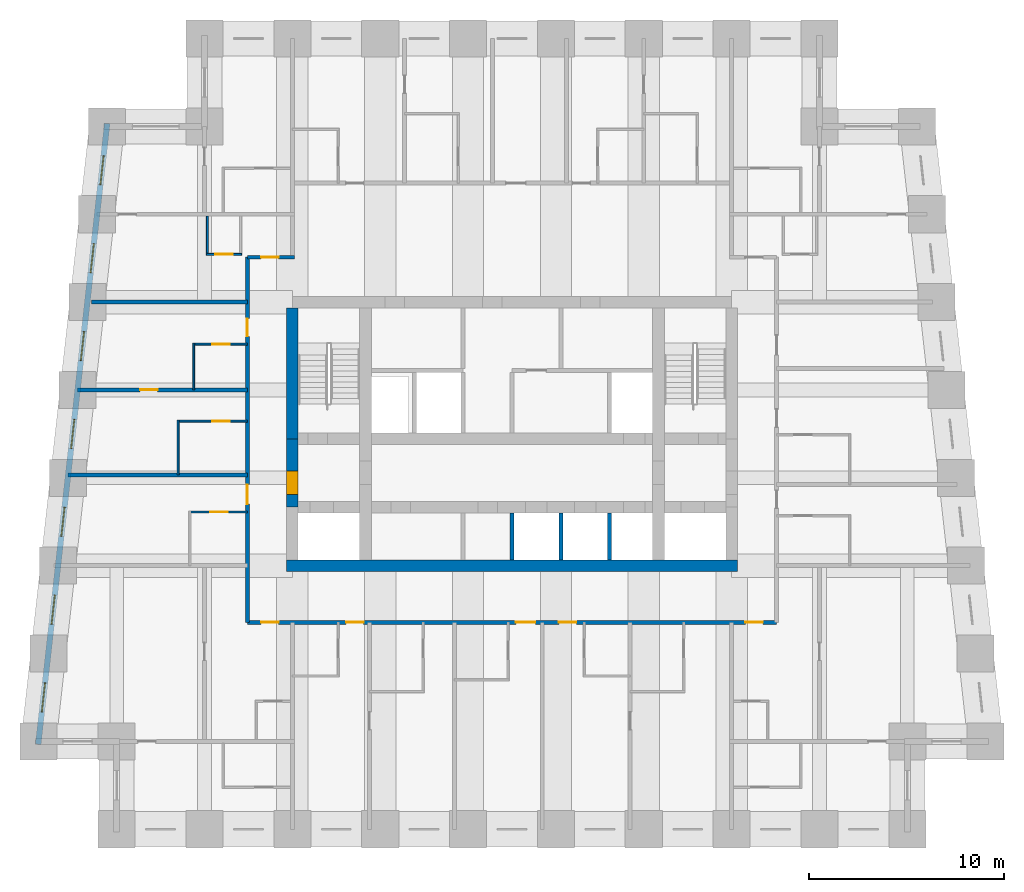
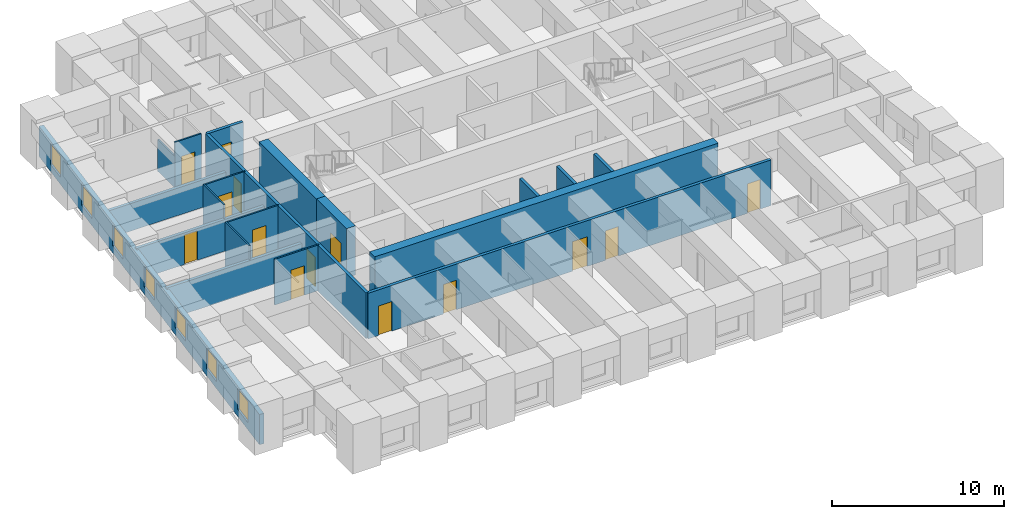
# One storey, part 3 of 8: 20 walls, 14 doors, 7 windows, 21 openings.
"""IFC4 building model written with IfcOpenShell, lengths in metres."""

from ifc_helpers import new_model, si_unit, direction, frame, frame_2d, origin, place, context, subcontext, project, spatial, rectangle, extrude, material, layer, layer_set, type_object, element, fill, save


model = new_model("IFC4")

# Units and contexts
model_context = context("Model", 3, precision=1e-05, world=origin(), true_north=direction((0.0, 1.0)))
body_context = subcontext(model_context, "Body", "Model", "MODEL_VIEW")
ifc_project = project(units=[si_unit("LENGTHUNIT", "METRE"), si_unit("AREAUNIT", "SQUARE_METRE"), si_unit("VOLUMEUNIT", "CUBIC_METRE"), si_unit("PLANEANGLEUNIT", "RADIAN"), si_unit("MASSUNIT", "GRAM", prefix="KILO")], contexts=[model_context])

# Site, building, storey
site_placement = place(None, origin())
site = spatial("IfcSite", under=ifc_project, at=site_placement, CompositionType="ELEMENT")
building_placement = place(site_placement, origin())
building = spatial("IfcBuilding", under=site, at=building_placement, Name="Kilele Tower Hotel", CompositionType="ELEMENT")
storey_placement = place(building_placement, frame((0.0, 0.0, 110.89990234375)))
storey = spatial("IfcBuildingStorey", under=building, at=storey_placement, Name="L28", CompositionType="ELEMENT", Elevation=110.89990234375)

# Wall, opening, door
ifc_material_1 = material(Name="Moisture-resistant board")
ifc_layer_1 = layer(ifc_material_1, 0.10009765625)
ifc_layer_set_1 = layer_set([ifc_layer_1], Name="Moisture-resistant board")
wall_type_1 = type_object("IfcWallType", Name="Bathroom partition 100", PredefinedType="PLUMBINGWALL", material=ifc_layer_set_1)
wall_1_placement = place(storey_placement, frame((11.199951171875, 16.25, 0.0), z_axis=(0.0, 0.0, 1.0), x_axis=(-1.0, 0.0, 0.0)))
wall_1 = element("IfcWall", 1, at=wall_1_placement, inside=storey, type_object=wall_type_1, Name="Bathroom partition 100 L28", PredefinedType="PLUMBINGWALL", context=body_context, shape_type="SweptSolid", body=[
    extrude(rectangle(XDim=3.0, YDim=0.10009765625, at=frame_2d((1.5, 0.0))), origin(), (0.0, 0.0, 1.0), 3.25),
])
opening_1_placement = place(wall_1_placement, frame((1.89990234375, 0.0, 0.0), z_axis=(0.0, 0.0, 1.0), x_axis=(-1.0, 0.0, 0.0)))
opening_1 = element("IfcOpeningElement", 2, at=opening_1_placement, cuts=wall_1, Name="Opening D2A", PredefinedType="OPENING", context=body_context, shape_type="SweptSolid", body=[
    extrude(rectangle(XDim=0.89990234375, YDim=2.10009765625, at=frame_2d((0.449951171875, 1.050048828125))), frame((0.0, 0.06005859375, 0.0), z_axis=(0.0, -1.0, 0.0), x_axis=(1.0, 0.0, 0.0)), (0.0, 0.0, 1.0), 0.1201171875),
])
ifc_material_2 = material(Name="Timber door leaf in hardwood frame", Category="wood")
door_type_1 = type_object("IfcDoorType", Name="Bathroom door 900", OperationType="SINGLE_SWING_LEFT", PredefinedType="DOOR", material=ifc_material_2)
door_1_placement = place(opening_1_placement, origin())
door_1 = element("IfcDoor", 3, at=door_1_placement, inside=storey, type_object=door_type_1, Name="Bathroom door 2814B", OperationType="SINGLE_SWING_RIGHT", OverallHeight=2.10009765625, OverallWidth=0.89990234375, PredefinedType="DOOR", context=body_context, shape_type="SweptSolid", body=[
    extrude(rectangle(XDim=0.89990234375, YDim=2.10009765625, at=frame_2d((0.449951171875, 1.050048828125))), frame((0.0, 0.02490234375, 0.0), z_axis=(0.0, -1.0, 0.0), x_axis=(1.0, 0.0, 0.0)), (0.0, 0.0, 1.0), 0.050048828125),
])
fill(opening_1, door_1)

# Wall
wall_2_placement = place(storey_placement, frame((7.64990234375, 18.14990234375, 0.0), z_axis=(0.0, 0.0, 1.0), x_axis=(0.0, 1.0, 0.0)))
element("IfcWall", 4, at=wall_2_placement, inside=storey, type_object=wall_type_1, Name="Bathroom partition 100 L28", PredefinedType="PLUMBINGWALL", context=body_context, shape_type="SweptSolid", body=[
    extrude(rectangle(XDim=2.800048828125, YDim=0.10009765625, at=frame_2d((1.39990234375, 0.0))), origin(), (0.0, 0.0, 1.0), 3.25),
])

# Wall, opening, door
wall_3_placement = place(storey_placement, frame((11.199951171875, 20.89990234375, 0.0), z_axis=(0.0, 0.0, 1.0), x_axis=(-1.0, 0.0, 0.0)))
wall_3 = element("IfcWall", 5, at=wall_3_placement, inside=storey, type_object=wall_type_1, Name="Bathroom partition 100 L28", PredefinedType="PLUMBINGWALL", context=body_context, shape_type="SweptSolid", body=[
    extrude(rectangle(XDim=3.599853515625, YDim=0.10009765625, at=frame_2d((1.7998046875, 0.0))), origin(), (0.0, 0.0, 1.0), 3.25),
])
opening_2_placement = place(wall_3_placement, frame((1.7998046875, 0.0, 0.0), z_axis=(0.0, 0.0, 1.0), x_axis=(-1.0, 0.0, 0.0)))
opening_2 = element("IfcOpeningElement", 6, at=opening_2_placement, cuts=wall_3, Name="Opening D2A", PredefinedType="OPENING", context=body_context, shape_type="SweptSolid", body=[
    extrude(rectangle(XDim=0.89990234375, YDim=2.10009765625, at=frame_2d((0.449951171875, 1.050048828125))), frame((0.0, 0.06005859375, 0.0), z_axis=(0.0, -1.0, 0.0), x_axis=(1.0, 0.0, 0.0)), (0.0, 0.0, 1.0), 0.1201171875),
])
door_2_placement = place(opening_2_placement, origin())
door_2 = element("IfcDoor", 7, at=door_2_placement, inside=storey, type_object=door_type_1, Name="Bathroom door 2815B", OperationType="SINGLE_SWING_RIGHT", OverallHeight=2.10009765625, OverallWidth=0.89990234375, PredefinedType="DOOR", context=body_context, shape_type="SweptSolid", body=[
    extrude(rectangle(XDim=0.89990234375, YDim=2.10009765625, at=frame_2d((0.449951171875, 1.050048828125))), frame((0.0, 0.02490234375, 0.0), z_axis=(0.0, -1.0, 0.0), x_axis=(1.0, 0.0, 0.0)), (0.0, 0.0, 1.0), 0.050048828125),
])
fill(opening_2, door_2)

# Wall
wall_4_placement = place(storey_placement, frame((8.449951171875, 22.5, 0.0), z_axis=(0.0, 0.0, 1.0), x_axis=(0.0, 1.0, 0.0)))
element("IfcWall", 8, at=wall_4_placement, inside=storey, type_object=wall_type_1, Name="Bathroom partition 100 L28", PredefinedType="PLUMBINGWALL", context=body_context, shape_type="SweptSolid", body=[
    extrude(rectangle(XDim=2.39990234375, YDim=0.10009765625, at=frame_2d((1.199951171875, 0.0))), origin(), (0.0, 0.0, 1.0), 3.25),
])

# Wall, opening, door
wall_5_placement = place(storey_placement, frame((11.199951171875, 24.85009765625, 0.0), z_axis=(0.0, 0.0, 1.0), x_axis=(-1.0, 0.0, 0.0)))
wall_5 = element("IfcWall", 9, at=wall_5_placement, inside=storey, type_object=wall_type_1, Name="Bathroom partition 100 L28", PredefinedType="PLUMBINGWALL", context=body_context, shape_type="SweptSolid", body=[
    extrude(rectangle(XDim=2.800048828125, YDim=0.10009765625, at=frame_2d((1.39990234375, 0.0))), origin(), (0.0, 0.0, 1.0), 3.25),
])
opening_3_placement = place(wall_5_placement, frame((1.7998046875, 0.0, 0.0), z_axis=(0.0, 0.0, 1.0), x_axis=(-1.0, 0.0, 0.0)))
opening_3 = element("IfcOpeningElement", 10, at=opening_3_placement, cuts=wall_5, Name="Opening D2A", PredefinedType="OPENING", context=body_context, shape_type="SweptSolid", body=[
    extrude(rectangle(XDim=0.89990234375, YDim=2.10009765625, at=frame_2d((0.449951171875, 1.050048828125))), frame((0.0, 0.06005859375, 0.0), z_axis=(0.0, -1.0, 0.0), x_axis=(1.0, 0.0, 0.0)), (0.0, 0.0, 1.0), 0.1201171875),
])
door_3_placement = place(opening_3_placement, origin())
door_3 = element("IfcDoor", 11, at=door_3_placement, inside=storey, type_object=door_type_1, Name="Bathroom door 2816B", OperationType="SINGLE_SWING_RIGHT", OverallHeight=2.10009765625, OverallWidth=0.89990234375, PredefinedType="DOOR", context=body_context, shape_type="SweptSolid", body=[
    extrude(rectangle(XDim=0.89990234375, YDim=2.10009765625, at=frame_2d((0.449951171875, 1.050048828125))), frame((0.0, 0.02490234375, 0.0), z_axis=(0.0, -1.0, 0.0), x_axis=(1.0, 0.0, 0.0)), (0.0, 0.0, 1.0), 0.050048828125),
])
fill(opening_3, door_3)

# Wall
wall_6_placement = place(storey_placement, frame((9.14990234375, 31.39990234375, 0.0), z_axis=(0.0, 0.0, 1.0), x_axis=(0.0, -1.0, 0.0)))
element("IfcWall", 12, at=wall_6_placement, inside=storey, type_object=wall_type_1, Name="Bathroom partition 100 L28", PredefinedType="PLUMBINGWALL", context=body_context, shape_type="SweptSolid", body=[
    extrude(rectangle(XDim=2.0, YDim=0.10009765625, at=frame_2d((1.0, 0.0))), origin(), (0.0, 0.0, 1.0), 2.25),
])

# Wall, opening, door
wall_7_placement = place(storey_placement, frame((10.89990234375, 29.449951171875, 0.0), z_axis=(0.0, 0.0, 1.0), x_axis=(-1.0, 0.0, 0.0)))
wall_7 = element("IfcWall", 13, at=wall_7_placement, inside=storey, type_object=wall_type_1, Name="Bathroom partition 100 L28", PredefinedType="PLUMBINGWALL", context=body_context, shape_type="SweptSolid", body=[
    extrude(rectangle(XDim=1.7998046875, YDim=0.10009765625, at=frame_2d((0.89990234375, 0.0))), origin(), (0.0, 0.0, 1.0), 3.25),
])
opening_4_placement = place(wall_7_placement, frame((0.449951171875, 0.0, 0.0)))
opening_4 = element("IfcOpeningElement", 14, at=opening_4_placement, cuts=wall_7, Name="Opening D2A", PredefinedType="OPENING", context=body_context, shape_type="SweptSolid", body=[
    extrude(rectangle(XDim=0.89990234375, YDim=2.10009765625, at=frame_2d((0.449951171875, 1.050048828125))), frame((0.0, 0.06005859375, 0.0), z_axis=(0.0, -1.0, 0.0), x_axis=(1.0, 0.0, 0.0)), (0.0, 0.0, 1.0), 0.1201171875),
])
door_4_placement = place(opening_4_placement, origin())
door_4 = element("IfcDoor", 15, at=door_4_placement, inside=storey, type_object=door_type_1, Name="Bathroom door 2826P", OperationType="SINGLE_SWING_LEFT", OverallHeight=2.10009765625, OverallWidth=0.89990234375, PredefinedType="DOOR", context=body_context, shape_type="SweptSolid", body=[
    extrude(rectangle(XDim=0.89990234375, YDim=2.10009765625, at=frame_2d((0.449951171875, 1.050048828125))), frame((0.0, 0.02490234375, 0.0), z_axis=(0.0, -1.0, 0.0), x_axis=(1.0, 0.0, 0.0)), (0.0, 0.0, 1.0), 0.050048828125),
])
fill(opening_4, door_4)

# Walls
ifc_material_3 = material(Name="Concrete C60/75", Category="concrete")
ifc_layer_2 = layer(ifc_material_3, 0.60009765625)
ifc_layer_set_2 = layer_set([ifc_layer_2], Name="Concrete C60/75")
wall_type_2 = type_object("IfcWallType", Name="Core wall 600 C60/75", PredefinedType="SHEAR", material=ifc_layer_set_2)
wall_8_placement = place(storey_placement, frame((13.199951171875, 13.5, 0.0), z_axis=(0.0, 0.0, 1.0), x_axis=(1.0, 0.0, 0.0)))
element("IfcWall", 16, at=wall_8_placement, inside=storey, type_object=wall_type_2, Name="Core wall S L28", PredefinedType="SHEAR", context=body_context, shape_type="SweptSolid", body=[
    extrude(rectangle(XDim=23.10009765625, YDim=0.60009765625, at=frame_2d((11.550048828125, 0.0))), origin(), (0.0, 0.0, 1.0), 3.5),
])
wall_9_placement = place(storey_placement, frame((13.5, 26.699951171875, 0.0), z_axis=(0.0, 0.0, 1.0), x_axis=(0.0, -1.0, 0.0)))
element("IfcWall", 17, at=wall_9_placement, inside=storey, type_object=wall_type_2, Name="Core wall W1 L28", PredefinedType="SHEAR", context=body_context, shape_type="SweptSolid", body=[
    extrude(rectangle(XDim=6.699951171875, YDim=0.60009765625, at=frame_2d((3.35009765625, 0.0))), origin(), (0.0, 0.0, 1.0), 3.5),
])

# Wall, opening, door
wall_10_placement = place(storey_placement, frame((13.5, 20.0, 0.0), z_axis=(0.0, 0.0, 1.0), x_axis=(0.0, -1.0, 0.0)))
wall_10 = element("IfcWall", 18, at=wall_10_placement, inside=storey, type_object=wall_type_2, Name="Core wall W2 L28", PredefinedType="SHEAR", context=body_context, shape_type="SweptSolid", body=[
    extrude(rectangle(XDim=3.5, YDim=0.60009765625, at=frame_2d((1.75, 0.0))), origin(), (0.0, 0.0, 1.0), 3.5),
])
opening_5_placement = place(wall_10_placement, frame((1.64990234375, 0.0, 0.0)))
opening_5 = element("IfcOpeningElement", 19, at=opening_5_placement, cuts=wall_10, Name="Opening D4", PredefinedType="OPENING", context=body_context, shape_type="SweptSolid", body=[
    extrude(rectangle(XDim=1.199951171875, YDim=2.10009765625, at=frame_2d((0.60009765625, 1.050048828125))), frame((0.0, 0.31005859375, 0.0), z_axis=(0.0, -1.0, 0.0), x_axis=(1.0, 0.0, 0.0)), (0.0, 0.0, 1.0), 0.6201171875),
])
ifc_material_4 = material(Name="Timber door leaf in hardwood frame", Category="wood")
door_type_2 = type_object("IfcDoorType", Name="Firefighting lobby door 1200", OperationType="SINGLE_SWING_LEFT", PredefinedType="DOOR", material=ifc_material_4)
door_5_placement = place(opening_5_placement, origin())
door_5 = element("IfcDoor", 20, at=door_5_placement, inside=storey, type_object=door_type_2, Name="Lobby door L28", OperationType="SINGLE_SWING_RIGHT", OverallHeight=2.10009765625, OverallWidth=1.199951171875, PredefinedType="DOOR", context=body_context, shape_type="SweptSolid", body=[
    extrude(rectangle(XDim=1.199951171875, YDim=2.10009765625, at=frame_2d((0.60009765625, 1.050048828125))), frame((0.0, 0.2998046875, 0.0), z_axis=(0.0, -1.0, 0.0), x_axis=(1.0, 0.0, 0.0)), (0.0, 0.0, 1.0), 0.599609375),
])
fill(opening_5, door_5)

# Wall, openings, doors
ifc_material_5 = material(Name="Blockwork, plastered both sides", Category="masonry")
ifc_layer_3 = layer(ifc_material_5, 0.199951171875)
ifc_layer_set_3 = layer_set([ifc_layer_3], Name="Blockwork, plastered both sides")
wall_type_3 = type_object("IfcWallType", Name="Corridor wall 200", PredefinedType="PARTITIONING", material=ifc_layer_set_3)
wall_11_placement = place(storey_placement, frame((11.199951171875, 10.60009765625, 0.0), z_axis=(0.0, 0.0, 1.0), x_axis=(1.0, 0.0, 0.0)))
wall_11 = element("IfcWall", 21, at=wall_11_placement, inside=storey, type_object=wall_type_3, Name="Corridor wall 200 L28", PredefinedType="PARTITIONING", context=body_context, shape_type="SweptSolid", body=[
    extrude(rectangle(XDim=27.10009765625, YDim=0.199951171875, at=frame_2d((13.550048828125, 0.0))), origin(), (0.0, 0.0, 1.0), 3.25),
])
opening_6_placement = place(wall_11_placement, frame((5.949951171875, 0.0, 0.0), z_axis=(0.0, 0.0, 1.0), x_axis=(-1.0, 0.0, 0.0)))
opening_6 = element("IfcOpeningElement", 22, at=opening_6_placement, cuts=wall_11, Name="Opening D1", PredefinedType="OPENING", context=body_context, shape_type="SweptSolid", body=[
    extrude(rectangle(XDim=0.89990234375, YDim=2.10009765625, at=frame_2d((0.449951171875, 1.050048828125))), frame((0.0, 0.10986328125, 0.0), z_axis=(0.0, -1.0, 0.0), x_axis=(1.0, 0.0, 0.0)), (0.0, 0.0, 1.0), 0.219970703125),
])
opening_7_placement = place(wall_11_placement, frame((14.75, 0.0, 0.0), z_axis=(0.0, 0.0, 1.0), x_axis=(-1.0, 0.0, 0.0)))
opening_7 = element("IfcOpeningElement", 23, at=opening_7_placement, cuts=wall_11, Name="Opening D1A", PredefinedType="OPENING", context=body_context, shape_type="SweptSolid", body=[
    extrude(rectangle(XDim=1.0, YDim=2.10009765625, at=frame_2d((0.5, 1.050048828125))), frame((0.0, 0.10986328125, 0.0), z_axis=(0.0, -1.0, 0.0), x_axis=(1.0, 0.0, 0.0)), (0.0, 0.0, 1.0), 0.219970703125),
])
opening_8_placement = place(wall_11_placement, frame((16.849853515625, 0.0, 0.0), z_axis=(0.0, 0.0, 1.0), x_axis=(-1.0, 0.0, 0.0)))
opening_8 = element("IfcOpeningElement", 24, at=opening_8_placement, cuts=wall_11, Name="Opening D1", PredefinedType="OPENING", context=body_context, shape_type="SweptSolid", body=[
    extrude(rectangle(XDim=0.89990234375, YDim=2.10009765625, at=frame_2d((0.449951171875, 1.050048828125))), frame((0.0, 0.10986328125, 0.0), z_axis=(0.0, -1.0, 0.0), x_axis=(1.0, 0.0, 0.0)), (0.0, 0.0, 1.0), 0.219970703125),
])
opening_9_placement = place(wall_11_placement, frame((1.599853515625, 0.0, 0.0), z_axis=(0.0, 0.0, 1.0), x_axis=(-1.0, 0.0, 0.0)))
opening_9 = element("IfcOpeningElement", 25, at=opening_9_placement, cuts=wall_11, Name="Opening D1", PredefinedType="OPENING", context=body_context, shape_type="SweptSolid", body=[
    extrude(rectangle(XDim=0.89990234375, YDim=2.10009765625, at=frame_2d((0.449951171875, 1.050048828125))), frame((0.0, 0.10986328125, 0.0), z_axis=(0.0, -1.0, 0.0), x_axis=(1.0, 0.0, 0.0)), (0.0, 0.0, 1.0), 0.219970703125),
])
opening_10_placement = place(wall_11_placement, frame((26.39990234375, 0.0, 0.0), z_axis=(0.0, 0.0, 1.0), x_axis=(-1.0, 0.0, 0.0)))
opening_10 = element("IfcOpeningElement", 26, at=opening_10_placement, cuts=wall_11, Name="Opening D1", PredefinedType="OPENING", context=body_context, shape_type="SweptSolid", body=[
    extrude(rectangle(XDim=0.89990234375, YDim=2.10009765625, at=frame_2d((0.449951171875, 1.050048828125))), frame((0.0, 0.10986328125, 0.0), z_axis=(0.0, -1.0, 0.0), x_axis=(1.0, 0.0, 0.0)), (0.0, 0.0, 1.0), 0.219970703125),
])
ifc_material_6 = material(Name="Timber door leaf in hardwood frame", Category="wood")
door_type_3 = type_object("IfcDoorType", Name="Guest room entrance door 1000", OperationType="SINGLE_SWING_LEFT", PredefinedType="DOOR", material=ifc_material_6)
door_6_placement = place(opening_7_placement, origin())
door_6 = element("IfcDoor", 27, at=door_6_placement, inside=storey, type_object=door_type_3, Name="Room entrance 2803", OperationType="SINGLE_SWING_LEFT", OverallHeight=2.10009765625, OverallWidth=1.0, PredefinedType="DOOR", context=body_context, shape_type="SweptSolid", body=[
    extrude(rectangle(XDim=1.0, YDim=2.10009765625, at=frame_2d((0.5, 1.050048828125))), frame((0.0, 0.02490234375, 0.0), z_axis=(0.0, -1.0, 0.0), x_axis=(1.0, 0.0, 0.0)), (0.0, 0.0, 1.0), 0.050048828125),
])
fill(opening_7, door_6)
ifc_material_7 = material(Name="Timber door leaf in hardwood frame", Category="wood")
door_type_4 = type_object("IfcDoorType", Name="Guest room entrance door 900", OperationType="SINGLE_SWING_LEFT", PredefinedType="DOOR", material=ifc_material_7)
door_7_placement = place(opening_6_placement, origin())
door_7 = element("IfcDoor", 28, at=door_7_placement, inside=storey, type_object=door_type_4, Name="Room entrance 2801", OperationType="SINGLE_SWING_LEFT", OverallHeight=2.10009765625, OverallWidth=0.89990234375, PredefinedType="DOOR", context=body_context, shape_type="SweptSolid", body=[
    extrude(rectangle(XDim=0.89990234375, YDim=2.10009765625, at=frame_2d((0.449951171875, 1.050048828125))), frame((0.0, 0.02490234375, 0.0), z_axis=(0.0, -1.0, 0.0), x_axis=(1.0, 0.0, 0.0)), (0.0, 0.0, 1.0), 0.050048828125),
])
fill(opening_6, door_7)
door_8_placement = place(opening_8_placement, origin())
door_8 = element("IfcDoor", 29, at=door_8_placement, inside=storey, type_object=door_type_4, Name="Room entrance 2804", OperationType="SINGLE_SWING_LEFT", OverallHeight=2.10009765625, OverallWidth=0.89990234375, PredefinedType="DOOR", context=body_context, shape_type="SweptSolid", body=[
    extrude(rectangle(XDim=0.89990234375, YDim=2.10009765625, at=frame_2d((0.449951171875, 1.050048828125))), frame((0.0, 0.02490234375, 0.0), z_axis=(0.0, -1.0, 0.0), x_axis=(1.0, 0.0, 0.0)), (0.0, 0.0, 1.0), 0.050048828125),
])
fill(opening_8, door_8)
door_9_placement = place(opening_9_placement, origin())
door_9 = element("IfcDoor", 30, at=door_9_placement, inside=storey, type_object=door_type_4, Name="Room entrance 2817", OperationType="SINGLE_SWING_LEFT", OverallHeight=2.10009765625, OverallWidth=0.89990234375, PredefinedType="DOOR", context=body_context, shape_type="SweptSolid", body=[
    extrude(rectangle(XDim=0.89990234375, YDim=2.10009765625, at=frame_2d((0.449951171875, 1.050048828125))), frame((0.0, 0.02490234375, 0.0), z_axis=(0.0, -1.0, 0.0), x_axis=(1.0, 0.0, 0.0)), (0.0, 0.0, 1.0), 0.050048828125),
])
fill(opening_9, door_9)
door_10_placement = place(opening_10_placement, origin())
door_10 = element("IfcDoor", 31, at=door_10_placement, inside=storey, type_object=door_type_4, Name="Room entrance 2820", OperationType="SINGLE_SWING_RIGHT", OverallHeight=2.10009765625, OverallWidth=0.89990234375, PredefinedType="DOOR", context=body_context, shape_type="SweptSolid", body=[
    extrude(rectangle(XDim=0.89990234375, YDim=2.10009765625, at=frame_2d((0.449951171875, 1.050048828125))), frame((0.0, 0.02490234375, 0.0), z_axis=(0.0, -1.0, 0.0), x_axis=(1.0, 0.0, 0.0)), (0.0, 0.0, 1.0), 0.050048828125),
])
fill(opening_10, door_10)

# Wall, opening, door
wall_12_placement = place(storey_placement, frame((11.199951171875, 29.300048828125, 0.0), z_axis=(0.0, 0.0, 1.0), x_axis=(1.0, 0.0, 0.0)))
wall_12 = element("IfcWall", 32, at=wall_12_placement, inside=storey, type_object=wall_type_3, Name="Corridor wall 200 L28", PredefinedType="PARTITIONING", context=body_context, shape_type="SweptSolid", body=[
    extrude(rectangle(XDim=2.400146484375, YDim=0.199951171875, at=frame_2d((1.2001953125, 0.0))), origin(), (0.0, 0.0, 1.0), 3.25),
])
opening_11_placement = place(wall_12_placement, frame((0.699951171875, 0.0, 0.0)))
opening_11 = element("IfcOpeningElement", 33, at=opening_11_placement, cuts=wall_12, Name="Opening D1", PredefinedType="OPENING", context=body_context, shape_type="SweptSolid", body=[
    extrude(rectangle(XDim=0.89990234375, YDim=2.10009765625, at=frame_2d((0.449951171875, 1.050048828125))), frame((0.0, 0.10986328125, 0.0), z_axis=(0.0, -1.0, 0.0), x_axis=(1.0, 0.0, 0.0)), (0.0, 0.0, 1.0), 0.219970703125),
])
door_11_placement = place(opening_11_placement, origin())
door_11 = element("IfcDoor", 34, at=door_11_placement, inside=storey, type_object=door_type_4, Name="Room entrance 2826", OperationType="SINGLE_SWING_RIGHT", OverallHeight=2.10009765625, OverallWidth=0.89990234375, PredefinedType="DOOR", context=body_context, shape_type="SweptSolid", body=[
    extrude(rectangle(XDim=0.89990234375, YDim=2.10009765625, at=frame_2d((0.449951171875, 1.050048828125))), frame((0.0, 0.02490234375, 0.0), z_axis=(0.0, -1.0, 0.0), x_axis=(1.0, 0.0, 0.0)), (0.0, 0.0, 1.0), 0.050048828125),
])
fill(opening_11, door_11)

# Wall, openings, doors
wall_13_placement = place(storey_placement, frame((11.199951171875, 10.60009765625, 0.0), z_axis=(0.0, 0.0, 1.0), x_axis=(0.0, 1.0, 0.0)))
wall_13 = element("IfcWall", 35, at=wall_13_placement, inside=storey, type_object=wall_type_3, Name="Corridor wall 200 L28", PredefinedType="PARTITIONING", context=body_context, shape_type="SweptSolid", body=[
    extrude(rectangle(XDim=18.699951171875, YDim=0.199951171875, at=frame_2d((9.35009765625, 0.0))), origin(), (0.0, 0.0, 1.0), 3.25),
])
opening_12_placement = place(wall_13_placement, frame((6.050048828125, 0.0, 0.0)))
opening_12 = element("IfcOpeningElement", 36, at=opening_12_placement, cuts=wall_13, Name="Opening D8", PredefinedType="OPENING", context=body_context, shape_type="SweptSolid", body=[
    extrude(rectangle(XDim=1.0, YDim=2.10009765625, at=frame_2d((0.5, 1.050048828125))), frame((0.0, 0.10986328125, 0.0), z_axis=(0.0, -1.0, 0.0), x_axis=(1.0, 0.0, 0.0)), (0.0, 0.0, 1.0), 0.219970703125),
])
opening_13_placement = place(wall_13_placement, frame((14.64990234375, 0.0, 0.0)))
opening_13 = element("IfcOpeningElement", 37, at=opening_13_placement, cuts=wall_13, Name="Opening D1", PredefinedType="OPENING", context=body_context, shape_type="SweptSolid", body=[
    extrude(rectangle(XDim=0.89990234375, YDim=2.10009765625, at=frame_2d((0.449951171875, 1.050048828125))), frame((0.0, 0.10986328125, 0.0), z_axis=(0.0, -1.0, 0.0), x_axis=(1.0, 0.0, 0.0)), (0.0, 0.0, 1.0), 0.219970703125),
])
ifc_material_8 = material(Name="Timber door leaf in hardwood frame", Category="wood")
door_type_5 = type_object("IfcDoorType", Name="Door 1000", OperationType="SINGLE_SWING_LEFT", PredefinedType="DOOR", material=ifc_material_8)
door_12_placement = place(opening_12_placement, origin())
door_12 = element("IfcDoor", 38, at=door_12_placement, inside=storey, type_object=door_type_5, Name="Room entrance 2814", OperationType="SINGLE_SWING_LEFT", OverallHeight=2.10009765625, OverallWidth=1.0, PredefinedType="DOOR", context=body_context, shape_type="SweptSolid", body=[
    extrude(rectangle(XDim=1.0, YDim=2.10009765625, at=frame_2d((0.5, 1.050048828125))), frame((0.0, 0.02490234375, 0.0), z_axis=(0.0, -1.0, 0.0), x_axis=(1.0, 0.0, 0.0)), (0.0, 0.0, 1.0), 0.050048828125),
])
fill(opening_12, door_12)
door_13_placement = place(opening_13_placement, origin())
door_13 = element("IfcDoor", 39, at=door_13_placement, inside=storey, type_object=door_type_4, Name="Room entrance 2816", OperationType="SINGLE_SWING_LEFT", OverallHeight=2.10009765625, OverallWidth=0.89990234375, PredefinedType="DOOR", context=body_context, shape_type="SweptSolid", body=[
    extrude(rectangle(XDim=0.89990234375, YDim=2.10009765625, at=frame_2d((0.449951171875, 1.050048828125))), frame((0.0, 0.02490234375, 0.0), z_axis=(0.0, -1.0, 0.0), x_axis=(1.0, 0.0, 0.0)), (0.0, 0.0, 1.0), 0.050048828125),
])
fill(opening_13, door_13)

# Wall
ifc_material_9 = material(Name="Blockwork, plastered both sides", Category="masonry")
ifc_layer_4 = layer(ifc_material_9, 0.199951171875)
ifc_layer_set_4 = layer_set([ifc_layer_4], Name="Blockwork, plastered both sides")
wall_type_4 = type_object("IfcWallType", Name="Party wall 200", PredefinedType="PARTITIONING", material=ifc_layer_set_4)
wall_14_placement = place(storey_placement, frame((11.199951171875, 18.14990234375, 0.0), z_axis=(0.0, 0.0, 1.0), x_axis=(-1.0, 0.0, 0.0)))
element("IfcWall", 40, at=wall_14_placement, inside=storey, type_object=wall_type_4, Name="Party wall 200 L28", PredefinedType="PARTITIONING", context=body_context, shape_type="SweptSolid", body=[
    extrude(rectangle(XDim=9.182373046875, YDim=0.199951171875, at=frame_2d((4.59130859375, 0.0))), origin(), (0.0, 0.0, 1.0), 2.25),
])

# Wall, opening, door
wall_15_placement = place(storey_placement, frame((11.199951171875, 22.5, 0.0), z_axis=(0.0, 0.0, 1.0), x_axis=(-1.0, 0.0, 0.0)))
wall_15 = element("IfcWall", 41, at=wall_15_placement, inside=storey, type_object=wall_type_4, Name="Party wall 200 L28", PredefinedType="PARTITIONING", context=body_context, shape_type="SweptSolid", body=[
    extrude(rectangle(XDim=8.698974609375, YDim=0.199951171875, at=frame_2d((4.349609375, 0.0))), origin(), (0.0, 0.0, 1.0), 2.25),
])
opening_14_placement = place(wall_15_placement, frame((5.5, 0.0, 0.0), z_axis=(0.0, 0.0, 1.0), x_axis=(-1.0, 0.0, 0.0)))
opening_14 = element("IfcOpeningElement", 42, at=opening_14_placement, cuts=wall_15, Name="Opening D3", PredefinedType="OPENING", context=body_context, shape_type="SweptSolid", body=[
    extrude(rectangle(XDim=0.89990234375, YDim=2.10009765625, at=frame_2d((0.449951171875, 1.050048828125))), frame((0.0, 0.10986328125, 0.0), z_axis=(0.0, -1.0, 0.0), x_axis=(1.0, 0.0, 0.0)), (0.0, 0.0, 1.0), 0.219970703125),
])
ifc_material_10 = material(Name="Timber door leaf in hardwood frame", Category="wood")
door_type_6 = type_object("IfcDoorType", Name="Suite internal door 900", OperationType="SINGLE_SWING_LEFT", PredefinedType="DOOR", material=ifc_material_10)
door_14_placement = place(opening_14_placement, origin())
door_14 = element("IfcDoor", 43, at=door_14_placement, inside=storey, type_object=door_type_6, Name="Suite door 2816", OperationType="SINGLE_SWING_LEFT", OverallHeight=2.10009765625, OverallWidth=0.89990234375, PredefinedType="DOOR", context=body_context, shape_type="SweptSolid", body=[
    extrude(rectangle(XDim=0.89990234375, YDim=2.10009765625, at=frame_2d((0.449951171875, 1.050048828125))), frame((0.0, 0.02490234375, 0.0), z_axis=(0.0, -1.0, 0.0), x_axis=(1.0, 0.0, 0.0)), (0.0, 0.0, 1.0), 0.050048828125),
])
fill(opening_14, door_14)

# Wall
wall_16_placement = place(storey_placement, frame((11.199951171875, 27.0, 0.0), z_axis=(0.0, 0.0, 1.0), x_axis=(-1.0, 0.0, 0.0)))
element("IfcWall", 44, at=wall_16_placement, inside=storey, type_object=wall_type_4, Name="Party wall 200 L28", PredefinedType="PARTITIONING", context=body_context, shape_type="SweptSolid", body=[
    extrude(rectangle(XDim=7.976806640625, YDim=0.199951171875, at=frame_2d((3.98828125, 0.0))), origin(), (0.0, 0.0, 1.0), 1.9501953125),
])

# Wall, openings, windows
ifc_material_11 = material(Name="Concrete C40/50 precast", Category="concrete")
ifc_layer_5 = layer(ifc_material_11, 0.260009765625, Name="Precast backing", Category="LoadBearing")
ifc_material_12 = material(Name="Reconstituted stone finish", Category="masonry")
ifc_layer_6 = layer(ifc_material_12, 0.0400390625, Name="Face mix", Category="Finish")
ifc_layer_set_5 = layer_set([ifc_layer_5, ifc_layer_6], Name="Precast concrete C40/50, reconstituted stone finish")
wall_type_5 = type_object("IfcWallType", Name="Precast stone facade wall 300", PredefinedType="STANDARD", material=ifc_layer_set_5)
wall_17_placement = place(storey_placement, frame((4.0166015625, 36.149169921875, 0.0), z_axis=(0.0, 0.0, 1.0), x_axis=(-0.110433201132, -0.993883548555, 0.0)))
wall_17 = element("IfcWall", 45, at=wall_17_placement, inside=storey, type_object=wall_type_5, Name="Facade wall L28 edge 12", PredefinedType="STANDARD", context=body_context, shape_type="SweptSolid", body=[
    extrude(rectangle(XDim=31.994140625, YDim=0.300048828125, at=frame_2d((15.9970703125, 0.0))), origin(), (0.0, 0.0, 1.0), 2.150146484375),
])
opening_15_placement = place(wall_17_placement, frame((1.6640625, 0.0, 0.5)))
opening_15 = element("IfcOpeningElement", 46, at=opening_15_placement, cuts=wall_17, Name="Opening W2", PredefinedType="OPENING", context=body_context, shape_type="SweptSolid", body=[
    extrude(rectangle(XDim=1.5, YDim=1.5, at=frame_2d((0.75, 0.75))), frame((0.0, 0.159912109375, 0.0), z_axis=(0.0, -1.0, 0.0), x_axis=(1.0, 0.0, 0.0)), (0.0, 0.0, 1.0), 0.320068359375),
])
opening_16_placement = place(wall_17_placement, frame((6.19189453125, 0.0, 0.5)))
opening_16 = element("IfcOpeningElement", 47, at=opening_16_placement, cuts=wall_17, Name="Opening W2", PredefinedType="OPENING", context=body_context, shape_type="SweptSolid", body=[
    extrude(rectangle(XDim=1.5, YDim=1.5, at=frame_2d((0.75, 0.75))), frame((0.0, 0.159912109375, 0.0), z_axis=(0.0, -1.0, 0.0), x_axis=(1.0, 0.0, 0.0)), (0.0, 0.0, 1.0), 0.320068359375),
])
opening_17_placement = place(wall_17_placement, frame((10.718994140625, 0.0, 0.5)))
opening_17 = element("IfcOpeningElement", 48, at=opening_17_placement, cuts=wall_17, Name="Opening W2", PredefinedType="OPENING", context=body_context, shape_type="SweptSolid", body=[
    extrude(rectangle(XDim=1.5, YDim=1.5, at=frame_2d((0.75, 0.75))), frame((0.0, 0.159912109375, 0.0), z_axis=(0.0, -1.0, 0.0), x_axis=(1.0, 0.0, 0.0)), (0.0, 0.0, 1.0), 0.320068359375),
])
opening_18_placement = place(wall_17_placement, frame((15.2470703125, 0.0, 0.5)))
opening_18 = element("IfcOpeningElement", 49, at=opening_18_placement, cuts=wall_17, Name="Opening W2", PredefinedType="OPENING", context=body_context, shape_type="SweptSolid", body=[
    extrude(rectangle(XDim=1.5, YDim=1.5, at=frame_2d((0.75, 0.75))), frame((0.0, 0.159912109375, 0.0), z_axis=(0.0, -1.0, 0.0), x_axis=(1.0, 0.0, 0.0)), (0.0, 0.0, 1.0), 0.320068359375),
])
opening_19_placement = place(wall_17_placement, frame((19.77490234375, 0.0, 0.5)))
opening_19 = element("IfcOpeningElement", 50, at=opening_19_placement, cuts=wall_17, Name="Opening W2", PredefinedType="OPENING", context=body_context, shape_type="SweptSolid", body=[
    extrude(rectangle(XDim=1.5, YDim=1.5, at=frame_2d((0.75, 0.75))), frame((0.0, 0.159912109375, 0.0), z_axis=(0.0, -1.0, 0.0), x_axis=(1.0, 0.0, 0.0)), (0.0, 0.0, 1.0), 0.320068359375),
])
opening_20_placement = place(wall_17_placement, frame((24.302001953125, 0.0, 0.5)))
opening_20 = element("IfcOpeningElement", 51, at=opening_20_placement, cuts=wall_17, Name="Opening W2", PredefinedType="OPENING", context=body_context, shape_type="SweptSolid", body=[
    extrude(rectangle(XDim=1.5, YDim=1.5, at=frame_2d((0.75, 0.75))), frame((0.0, 0.159912109375, 0.0), z_axis=(0.0, -1.0, 0.0), x_axis=(1.0, 0.0, 0.0)), (0.0, 0.0, 1.0), 0.320068359375),
])
opening_21_placement = place(wall_17_placement, frame((28.830078125, 0.0, 0.5)))
opening_21 = element("IfcOpeningElement", 52, at=opening_21_placement, cuts=wall_17, Name="Opening W2", PredefinedType="OPENING", context=body_context, shape_type="SweptSolid", body=[
    extrude(rectangle(XDim=1.5, YDim=1.5, at=frame_2d((0.75, 0.75))), frame((0.0, 0.159912109375, 0.0), z_axis=(0.0, -1.0, 0.0), x_axis=(1.0, 0.0, 0.0)), (0.0, 0.0, 1.0), 0.320068359375),
])
ifc_material_13 = material(Name="Aluminium frame, clear double glazing", Category="aluminium")
window_type = type_object("IfcWindowType", Name="Window W2 1500 x 1500", PartitioningType="SINGLE_PANEL", PredefinedType="WINDOW", material=ifc_material_13)
window_1_placement = place(opening_15_placement, origin())
window_1 = element("IfcWindow", 53, at=window_1_placement, inside=storey, type_object=window_type, Name="Window L28", OverallHeight=1.5, OverallWidth=1.5, PartitioningType="SINGLE_PANEL", PredefinedType="WINDOW", context=body_context, shape_type="SweptSolid", body=[
    extrude(rectangle(XDim=1.5, YDim=1.5, at=frame_2d((0.75, 0.75))), frame((0.0, 0.030029296875, 0.0), z_axis=(0.0, -1.0, 0.0), x_axis=(1.0, 0.0, 0.0)), (0.0, 0.0, 1.0), 0.06005859375),
])
fill(opening_15, window_1)
window_2_placement = place(opening_16_placement, origin())
window_2 = element("IfcWindow", 54, at=window_2_placement, inside=storey, type_object=window_type, Name="Window L28", OverallHeight=1.5, OverallWidth=1.5, PartitioningType="SINGLE_PANEL", PredefinedType="WINDOW", context=body_context, shape_type="SweptSolid", body=[
    extrude(rectangle(XDim=1.5, YDim=1.5, at=frame_2d((0.75, 0.75))), frame((0.0, 0.030029296875, 0.0), z_axis=(0.0, -1.0, 0.0), x_axis=(1.0, 0.0, 0.0)), (0.0, 0.0, 1.0), 0.06005859375),
])
fill(opening_16, window_2)
window_3_placement = place(opening_17_placement, origin())
window_3 = element("IfcWindow", 55, at=window_3_placement, inside=storey, type_object=window_type, Name="Window L28", OverallHeight=1.5, OverallWidth=1.5, PartitioningType="SINGLE_PANEL", PredefinedType="WINDOW", context=body_context, shape_type="SweptSolid", body=[
    extrude(rectangle(XDim=1.5, YDim=1.5, at=frame_2d((0.75, 0.75))), frame((0.0, 0.030029296875, 0.0), z_axis=(0.0, -1.0, 0.0), x_axis=(1.0, 0.0, 0.0)), (0.0, 0.0, 1.0), 0.06005859375),
])
fill(opening_17, window_3)
window_4_placement = place(opening_18_placement, origin())
window_4 = element("IfcWindow", 56, at=window_4_placement, inside=storey, type_object=window_type, Name="Window L28", OverallHeight=1.5, OverallWidth=1.5, PartitioningType="SINGLE_PANEL", PredefinedType="WINDOW", context=body_context, shape_type="SweptSolid", body=[
    extrude(rectangle(XDim=1.5, YDim=1.5, at=frame_2d((0.75, 0.75))), frame((0.0, 0.030029296875, 0.0), z_axis=(0.0, -1.0, 0.0), x_axis=(1.0, 0.0, 0.0)), (0.0, 0.0, 1.0), 0.06005859375),
])
fill(opening_18, window_4)
window_5_placement = place(opening_19_placement, origin())
window_5 = element("IfcWindow", 57, at=window_5_placement, inside=storey, type_object=window_type, Name="Window L28", OverallHeight=1.5, OverallWidth=1.5, PartitioningType="SINGLE_PANEL", PredefinedType="WINDOW", context=body_context, shape_type="SweptSolid", body=[
    extrude(rectangle(XDim=1.5, YDim=1.5, at=frame_2d((0.75, 0.75))), frame((0.0, 0.030029296875, 0.0), z_axis=(0.0, -1.0, 0.0), x_axis=(1.0, 0.0, 0.0)), (0.0, 0.0, 1.0), 0.06005859375),
])
fill(opening_19, window_5)
window_6_placement = place(opening_20_placement, origin())
window_6 = element("IfcWindow", 58, at=window_6_placement, inside=storey, type_object=window_type, Name="Window L28", OverallHeight=1.5, OverallWidth=1.5, PartitioningType="SINGLE_PANEL", PredefinedType="WINDOW", context=body_context, shape_type="SweptSolid", body=[
    extrude(rectangle(XDim=1.5, YDim=1.5, at=frame_2d((0.75, 0.75))), frame((0.0, 0.030029296875, 0.0), z_axis=(0.0, -1.0, 0.0), x_axis=(1.0, 0.0, 0.0)), (0.0, 0.0, 1.0), 0.06005859375),
])
fill(opening_20, window_6)
window_7_placement = place(opening_21_placement, origin())
window_7 = element("IfcWindow", 59, at=window_7_placement, inside=storey, type_object=window_type, Name="Window L28", OverallHeight=1.5, OverallWidth=1.5, PartitioningType="SINGLE_PANEL", PredefinedType="WINDOW", context=body_context, shape_type="SweptSolid", body=[
    extrude(rectangle(XDim=1.5, YDim=1.5, at=frame_2d((0.75, 0.75))), frame((0.0, 0.030029296875, 0.0), z_axis=(0.0, -1.0, 0.0), x_axis=(1.0, 0.0, 0.0)), (0.0, 0.0, 1.0), 0.06005859375),
])
fill(opening_21, window_7)

# Walls
ifc_material_14 = material(Name="Blockwork, fire-rated", Category="masonry")
ifc_layer_7 = layer(ifc_material_14, 0.199951171875)
ifc_layer_set_6 = layer_set([ifc_layer_7], Name="Blockwork, fire-rated")
wall_type_6 = type_object("IfcWallType", Name="Shaft wall 200", PredefinedType="PARTITIONING", material=ifc_layer_set_6)
for number, where, z_axis, x_axis, name in (
    (60, (24.75, 13.800048828125, 0.0), (0.0, 0.0, 1.0), (0.0, 1.0, 0.0), "Shaft wall 200 L28"),
    (61, (27.25, 13.800048828125, 0.0), (0.0, 0.0, 1.0), (0.0, 1.0, 0.0), "Shaft wall 200 L28"),
    (62, (29.75, 13.800048828125, 0.0), (0.0, 0.0, 1.0), (0.0, 1.0, 0.0), "Shaft wall 200 L28"),
):
    element("IfcWall", number, at=place(storey_placement, frame(where, z_axis=z_axis, x_axis=x_axis)), inside=storey, type_object=wall_type_6, Name=name, PredefinedType="PARTITIONING", context=body_context, shape_type="SweptSolid", body=[
        extrude(rectangle(XDim=2.39990234375, YDim=0.199951171875, at=frame_2d((1.199951171875, 0.0))), origin(), (0.0, 0.0, 1.0), 3.25),
    ])

save(model, "model.ifc")
